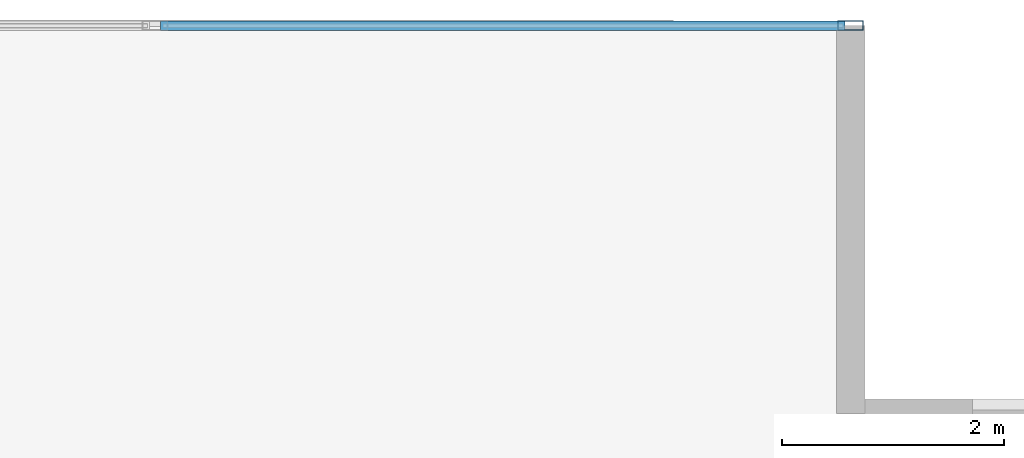
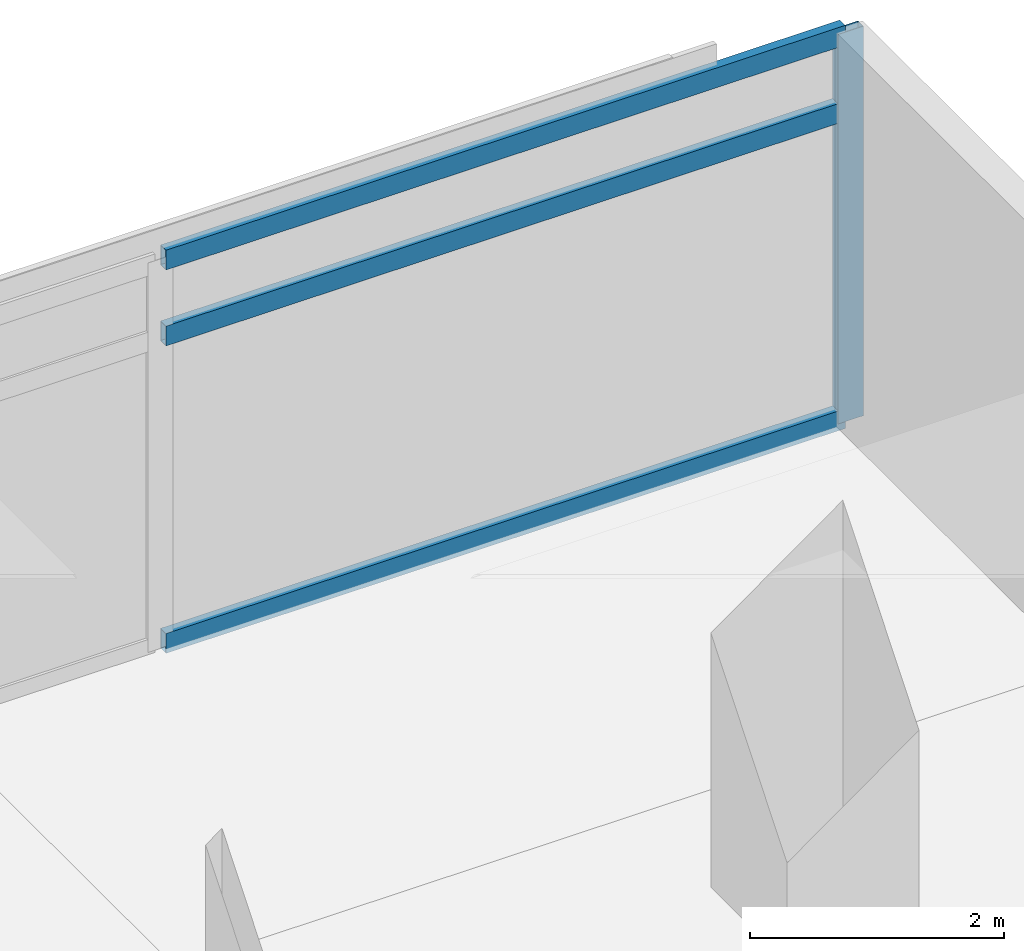
# One storey, part 12 of 21: 4 members, 1 element without a shape of its own.
"""IFC4 building model written with IfcOpenShell, lengths in metres."""

from ifc_helpers import new_model, si_unit, direction, frame, origin, origin_2d, place, context, subcontext, project, spatial, hollow_rectangle, extrude, material, material_profile, profile_set, type_object, element, aggregate, save


model = new_model("IFC4")

# Units and contexts
model_context = context("Model", 3, precision=1e-05, world=origin(), true_north=direction((0.0, 1.0)))
body_context = subcontext(model_context, "Body", "Model", "MODEL_VIEW")
ifc_project = project(units=[si_unit("LENGTHUNIT", "METRE"), si_unit("AREAUNIT", "SQUARE_METRE"), si_unit("VOLUMEUNIT", "CUBIC_METRE"), si_unit("PLANEANGLEUNIT", "RADIAN"), si_unit("MASSUNIT", "GRAM", prefix="KILO")], contexts=[model_context])

# Site, building, storey
site_placement = place(None, origin())
site = spatial("IfcSite", under=ifc_project, at=site_placement, CompositionType="ELEMENT")
building_placement = place(site_placement, origin())
building = spatial("IfcBuilding", under=site, at=building_placement, Name="Kovane Verandah Tower", CompositionType="ELEMENT")
storey_placement = place(building_placement, frame((0.0, 0.0, 275.199951171875)))
storey = spatial("IfcBuildingStorey", under=building, at=storey_placement, Name="L64", CompositionType="ELEMENT", Elevation=275.199951171875)

# Curtain wall, members
ifc_material_1 = material(Name="Champagne Anodised Aluminium Frame with Low-E Clear Laminated Glass", Category="aluminium")
curtain_wall_type = type_object("IfcCurtainWallType", Name="CW-SYS-05-HIGH", PredefinedType="NOTDEFINED", material=ifc_material_1)
curtain_wall_placement = place(storey_placement, origin())
curtain_wall = element("IfcCurtainWall", 1, at=curtain_wall_placement, inside=storey, type_object=curtain_wall_type, Name="L64 N Unitised Curtain Wall", PredefinedType="NOTDEFINED")
ifc_material_2 = material(Name="Champagne Anodised Aluminium 6063-T6", Category="aluminium")
ifc_material_profile_1 = material_profile(ifc_material_2, hollow_rectangle(XDim=0.0849609375, YDim=0.22998046875, WallThickness=0.00390625, at=origin_2d()), Name="AL85x230x4")
ifc_profile_set_1 = profile_set([ifc_material_profile_1], Name="Champagne Anodised Aluminium 6063-T6")
member_type_1 = type_object("IfcMemberType", Name="CW-MUL-85x230", PredefinedType="MULLION", material=ifc_profile_set_1)
member_1_placement = place(storey_placement, frame((61.96923828125, 49.860107421875, 0.02001953125), z_axis=(0.0, 0.0, 1.0), x_axis=(0.0, 1.0, 0.0)))
member_1 = element("IfcMember", 2, at=member_1_placement, type_object=member_type_1, Name="L64 N Unitised Curtain Wall Mullion 1", PredefinedType="MULLION", context=body_context, shape_type="SweptSolid", body=[
    extrude(hollow_rectangle(XDim=0.0849609375, YDim=0.22998046875, WallThickness=0.00390625, at=origin_2d()), origin(), (0.0, 0.0, 1.0), 3.7451171875),
])
ifc_material_profile_2 = material_profile(ifc_material_2, hollow_rectangle(XDim=0.0849609375, YDim=0.18994140625, WallThickness=0.00390625, at=origin_2d()), Name="AL85x190x4")
ifc_profile_set_2 = profile_set([ifc_material_profile_2], Name="Champagne Anodised Aluminium 6063-T6")
member_type_2 = type_object("IfcMemberType", Name="CW-TRN-85x190", PredefinedType="USERDEFINED", material=ifc_profile_set_2)
member_2_placement = place(storey_placement, frame((61.919189453125, 49.860107421875, 0.050048828125), z_axis=(-1.0, 0.0, 0.0), x_axis=(0.0, -1.0, 0.0)))
member_2 = element("IfcMember", 3, at=member_2_placement, type_object=member_type_2, Name="L64 N Unitised Curtain Wall Transom TB Bay 1", ObjectType="TRANSOM", PredefinedType="USERDEFINED", context=body_context, shape_type="SweptSolid", body=[
    extrude(hollow_rectangle(XDim=0.0849609375, YDim=0.18994140625, WallThickness=0.00390625, at=origin_2d()), origin(), (0.0, 0.0, 1.0), 6.1767578125),
])
member_3_placement = place(storey_placement, frame((61.919189453125, 49.860107421875, 3.005126953125), z_axis=(-1.0, 0.0, 0.0), x_axis=(0.0, -1.0, 0.0)))
member_3 = element("IfcMember", 4, at=member_3_placement, type_object=member_type_2, Name="L64 N Unitised Curtain Wall Transom TM Bay 1", ObjectType="TRANSOM", PredefinedType="USERDEFINED", context=body_context, shape_type="SweptSolid", body=[
    extrude(hollow_rectangle(XDim=0.0849609375, YDim=0.18994140625, WallThickness=0.00390625, at=origin_2d()), origin(), (0.0, 0.0, 1.0), 6.1767578125),
])
member_4_placement = place(storey_placement, frame((61.919189453125, 49.860107421875, 3.735107421875), z_axis=(-1.0, 0.0, 0.0), x_axis=(0.0, -1.0, 0.0)))
member_4 = element("IfcMember", 5, at=member_4_placement, type_object=member_type_2, Name="L64 N Unitised Curtain Wall Transom TT Bay 1", ObjectType="TRANSOM", PredefinedType="USERDEFINED", context=body_context, shape_type="SweptSolid", body=[
    extrude(hollow_rectangle(XDim=0.0849609375, YDim=0.18994140625, WallThickness=0.00390625, at=origin_2d()), origin(), (0.0, 0.0, 1.0), 6.1767578125),
])
aggregate(curtain_wall, [member_1, member_2, member_3, member_4])

save(model, "model.ifc")
